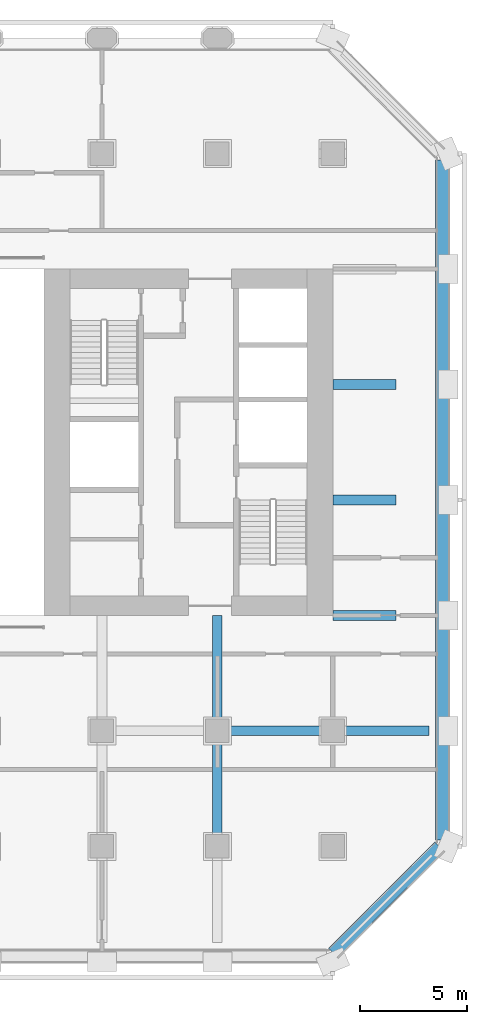
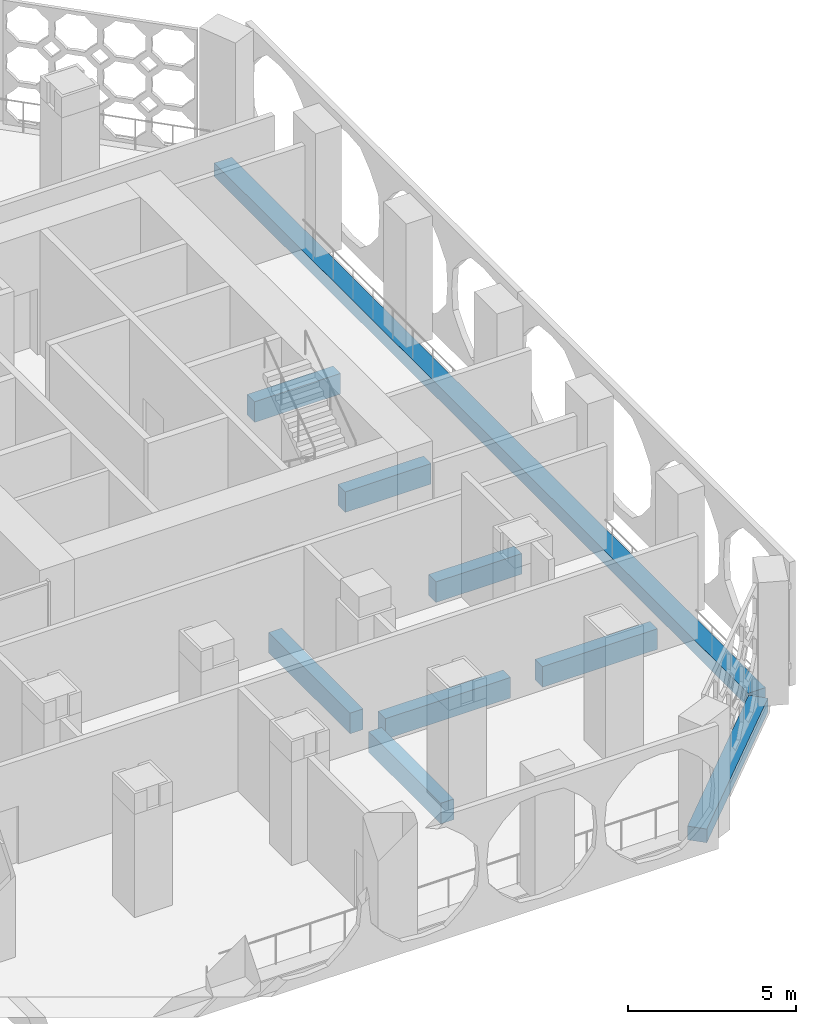
# One storey, part 3 of 14: 9 beams.
"""IFC4 building model written with IfcOpenShell, lengths in metres."""

from ifc_helpers import new_model, si_unit, direction, frame, origin, origin_2d, place, context, subcontext, project, spatial, rectangle, extrude, material, material_profile, profile_set, type_object, element, save


model = new_model("IFC4")

# Units and contexts
model_context = context("Model", 3, precision=1e-05, world=origin(), true_north=direction((0.0, 1.0)))
body_context = subcontext(model_context, "Body", "Model", "MODEL_VIEW")
ifc_project = project(units=[si_unit("LENGTHUNIT", "METRE"), si_unit("AREAUNIT", "SQUARE_METRE"), si_unit("VOLUMEUNIT", "CUBIC_METRE"), si_unit("PLANEANGLEUNIT", "RADIAN"), si_unit("MASSUNIT", "GRAM", prefix="KILO")], contexts=[model_context])

# Site, building, storey
site_placement = place(None, origin())
site = spatial("IfcSite", under=ifc_project, at=site_placement, CompositionType="ELEMENT")
building_placement = place(site_placement, origin())
building = spatial("IfcBuilding", under=site, at=building_placement, Name="Tabaq Tower and Sports Hall", CompositionType="ELEMENT")
storey_placement = place(building_placement, frame((0.0, 0.0, 60.199951171875)))
storey = spatial("IfcBuildingStorey", under=building, at=storey_placement, Name="L13", CompositionType="ELEMENT", Elevation=60.199951171875)

# Beams
ifc_material_1 = material(Name="Concrete C40/50", Category="concrete")
ifc_material_profile_1 = material_profile(ifc_material_1, rectangle(XDim=0.449951171875, YDim=0.75, at=origin_2d()), Name="CB 450x750")
ifc_profile_set_1 = profile_set([ifc_material_profile_1], Name="Concrete C40/50")
beam_type_1 = type_object("IfcBeamType", Name="PT CANTILEVER BEAM CB 450x750 C40/50", PredefinedType="BEAM", material=ifc_profile_set_1)
beam_1_placement = place(storey_placement, frame((47.699951171875, 10.800048828125, -0.875), z_axis=(-1.0, 0.0, 0.0), x_axis=(0.0, -1.0, 0.0)))
element("IfcBeam", 1, at=beam_1_placement, inside=storey, type_object=beam_type_1, Name="Cantilever Beam L13 E2 span 1", PredefinedType="BEAM", context=body_context, shape_type="SweptSolid", body=[
    extrude(rectangle(XDim=0.449951171875, YDim=0.75, at=origin_2d()), origin(), (0.0, 0.0, 1.0), 3.949951171875),
])
beam_2_placement = place(storey_placement, frame((42.64990234375, 10.800048828125, -0.875), z_axis=(-1.0, 0.0, 0.0), x_axis=(0.0, -1.0, 0.0)))
element("IfcBeam", 2, at=beam_2_placement, inside=storey, type_object=beam_type_1, Name="Cantilever Beam L13 E2 span 2", PredefinedType="BEAM", context=body_context, shape_type="SweptSolid", body=[
    extrude(rectangle(XDim=0.449951171875, YDim=0.75, at=origin_2d()), origin(), (0.0, 0.0, 1.0), 4.2998046875),
])
for number, where, z_axis, x_axis, name in (
    (3, (46.14990234375, 16.199951171875, -0.875), (-1.0, 0.0, 0.0), (0.0, -1.0, 0.0), "Cantilever Beam L13 E3 span 1"),
    (4, (46.14990234375, 21.60009765625, -0.875), (-1.0, 0.0, 0.0), (0.0, -1.0, 0.0), "Cantilever Beam L13 E4 span 1"),
    (5, (46.14990234375, 27.0, -0.875), (-1.0, 0.0, 0.0), (0.0, -1.0, 0.0), "Cantilever Beam L13 E5 span 1"),
):
    element("IfcBeam", number, at=place(storey_placement, frame(where, z_axis=z_axis, x_axis=x_axis)), inside=storey, type_object=beam_type_1, Name=name, PredefinedType="BEAM", context=body_context, shape_type="SweptSolid", body=[
        extrude(rectangle(XDim=0.449951171875, YDim=0.75, at=origin_2d()), origin(), (0.0, 0.0, 1.0), 2.949951171875),
    ])
beam_3_placement = place(storey_placement, frame((37.800048828125, 5.949951171875, -0.875), z_axis=(0.0, 1.0, 0.0), x_axis=(-1.0, 0.0, 0.0)))
element("IfcBeam", 6, at=beam_3_placement, inside=storey, type_object=beam_type_1, Name="Cantilever Beam L13 S7 span 2", PredefinedType="BEAM", context=body_context, shape_type="SweptSolid", body=[
    extrude(rectangle(XDim=0.449951171875, YDim=0.75, at=origin_2d()), origin(), (0.0, 0.0, 1.0), 4.300048828125),
])
beam_4_placement = place(storey_placement, frame((37.800048828125, 11.35009765625, -0.875), z_axis=(0.0, 1.0, 0.0), x_axis=(-1.0, 0.0, 0.0)))
element("IfcBeam", 7, at=beam_4_placement, inside=storey, type_object=beam_type_1, Name="Cantilever Beam L13 S7 span 3", PredefinedType="BEAM", context=body_context, shape_type="SweptSolid", body=[
    extrude(rectangle(XDim=0.449951171875, YDim=0.75, at=origin_2d()), origin(), (0.0, 0.0, 1.0), 4.849853515625),
])
ifc_material_2 = material(Name="Concrete C40/50", Category="concrete")
ifc_material_profile_2 = material_profile(ifc_material_2, rectangle(XDim=0.60009765625, YDim=0.5, at=origin_2d()), Name="EB 600x500")
ifc_profile_set_2 = profile_set([ifc_material_profile_2], Name="Concrete C40/50")
beam_type_2 = type_object("IfcBeamType", Name="PT EDGE BEAM EB 600x500 C40/50", PredefinedType="SPANDREL", material=ifc_profile_set_2)
beam_5_placement = place(storey_placement, frame((43.198974609375, 0.42333984375, -0.25), z_axis=(0.707106781187, 0.707106781187, 0.0), x_axis=(-0.707106781187, 0.707106781187, 0.0)))
element("IfcBeam", 8, at=beam_5_placement, inside=storey, type_object=beam_type_2, Name="Edge Beam L13 2", PredefinedType="SPANDREL", context=body_context, shape_type="SweptSolid", body=[
    extrude(rectangle(XDim=0.60009765625, YDim=0.5, at=origin_2d()), origin(), (0.0, 0.0, 1.0), 7.03955078125),
])
beam_6_placement = place(storey_placement, frame((48.300048828125, 5.698486328125, -0.25), z_axis=(0.0, 1.0, 0.0), x_axis=(-1.0, 0.0, 0.0)))
element("IfcBeam", 9, at=beam_6_placement, inside=storey, type_object=beam_type_2, Name="Edge Beam L13 3", PredefinedType="SPANDREL", context=body_context, shape_type="SweptSolid", body=[
    extrude(rectangle(XDim=0.60009765625, YDim=0.5, at=origin_2d()), origin(), (0.0, 0.0, 1.0), 31.802978515625),
])

save(model, "model.ifc")
